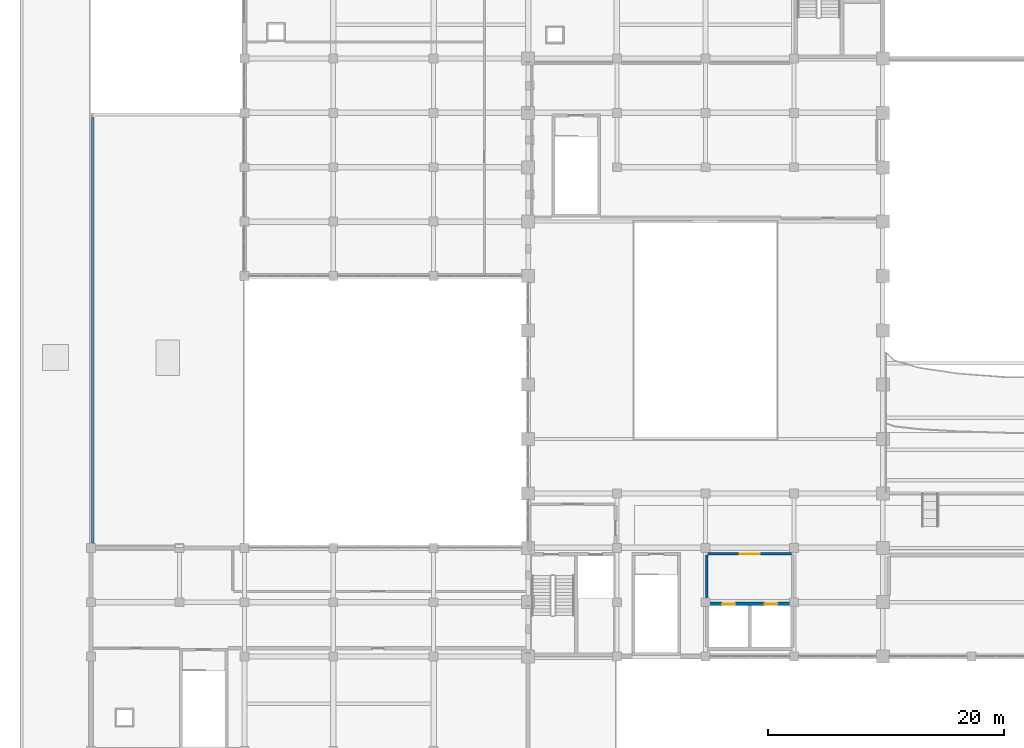
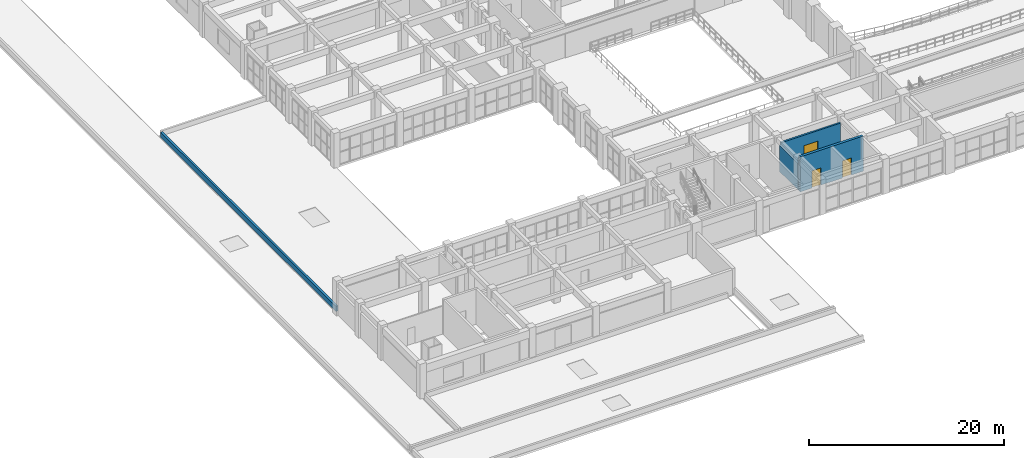
# One storey, part 68 of 90: 4 walls, 3 doors, 3 openings.
"""IFC4 building model written with IfcOpenShell, lengths in metres."""

from ifc_helpers import new_model, si_unit, direction, frame, frame_2d, origin, place, context, subcontext, project, spatial, rectangle, extrude, material, layer, layer_set, type_object, element, fill, save


model = new_model("IFC4")

# Units and contexts
model_context = context("Model", 3, precision=1e-05, world=origin(), true_north=direction((0.0, 1.0)))
body_context = subcontext(model_context, "Body", "Model", "MODEL_VIEW")
ifc_project = project(units=[si_unit("LENGTHUNIT", "METRE"), si_unit("AREAUNIT", "SQUARE_METRE"), si_unit("VOLUMEUNIT", "CUBIC_METRE"), si_unit("PLANEANGLEUNIT", "RADIAN"), si_unit("MASSUNIT", "GRAM", prefix="KILO")], contexts=[model_context])

# Site, building, storey
site_placement = place(None, origin())
site = spatial("IfcSite", under=ifc_project, at=site_placement, CompositionType="ELEMENT")
building_placement = place(site_placement, origin())
building = spatial("IfcBuilding", under=site, at=building_placement, Name="Muzn Square Opera House", CompositionType="ELEMENT")
storey_placement = place(building_placement, frame((0.0, 0.0, 9.800048828125)))
storey = spatial("IfcBuildingStorey", under=building, at=storey_placement, Name="L02", CompositionType="ELEMENT", Elevation=9.800048828125)

# Wall, openings, doors
ifc_material_1 = material(Name="Concrete C45/55", Category="concrete")
ifc_layer_1 = layer(ifc_material_1, 0.300048828125, Name="Concrete C45/55", Category="concrete")
ifc_layer_set_1 = layer_set([ifc_layer_1], Name="Concrete C45/55")
wall_type_1 = type_object("IfcWallType", Name="Core Shear Wall 300mm", PredefinedType="SHEAR", material=ifc_layer_set_1)
wall_1_placement = place(storey_placement, frame((58.0, 26.449951171875, 0.0), z_axis=(0.0, 0.0, 1.0), x_axis=(1.0, 0.0, 0.0)))
wall_1 = element("IfcWall", 1, at=wall_1_placement, inside=storey, type_object=wall_type_1, Name="Lift Bank LBW Front Wall L02", PredefinedType="SHEAR", context=body_context, shape_type="SweptSolid", body=[
    extrude(rectangle(XDim=7.5, YDim=0.300048828125, at=frame_2d((3.75, 0.0))), origin(), (0.0, 0.0, 1.0), 4.39990234375),
])
opening_1_placement = place(wall_1_placement, frame((1.39990234375, 0.0, 0.0)))
opening_1 = element("IfcOpeningElement", 2, at=opening_1_placement, cuts=wall_1, Name="Opening LD-01", PredefinedType="OPENING", context=body_context, shape_type="SweptSolid", body=[
    extrude(rectangle(XDim=1.10009765625, YDim=2.14990234375, at=frame_2d((0.550048828125, 1.074951171875))), frame((0.0, 0.159912109375, 0.0), z_axis=(0.0, -1.0, 0.0), x_axis=(1.0, 0.0, 0.0)), (0.0, 0.0, 1.0), 0.320068359375),
])
opening_2_placement = place(wall_1_placement, frame((5.0, 0.0, 0.0)))
opening_2 = element("IfcOpeningElement", 3, at=opening_2_placement, cuts=wall_1, Name="Opening LD-01", PredefinedType="OPENING", context=body_context, shape_type="SweptSolid", body=[
    extrude(rectangle(XDim=1.10009765625, YDim=2.14990234375, at=frame_2d((0.550048828125, 1.074951171875))), frame((0.0, 0.159912109375, 0.0), z_axis=(0.0, -1.0, 0.0), x_axis=(1.0, 0.0, 0.0)), (0.0, 0.0, 1.0), 0.320068359375),
])
ifc_material_2 = material(Name="Brushed stainless steel", Category="metal")
door_type_1 = type_object("IfcDoorType", Name="Lift Landing Sliding Door 1100x2150", OperationType="SLIDING_TO_LEFT", PredefinedType="DOOR", material=ifc_material_2)
door_1_placement = place(opening_1_placement, origin())
door_1 = element("IfcDoor", 4, at=door_1_placement, inside=storey, type_object=door_type_1, Name="Lift PL-2 Sliding Landing Door L02", OperationType="SLIDING_TO_LEFT", OverallHeight=2.14990234375, OverallWidth=1.10009765625, PredefinedType="DOOR", context=body_context, shape_type="SweptSolid", body=[
    extrude(rectangle(XDim=1.10009765625, YDim=2.14990234375, at=frame_2d((0.550048828125, 1.074951171875))), frame((0.0, 0.02490234375, 0.0), z_axis=(0.0, -1.0, 0.0), x_axis=(1.0, 0.0, 0.0)), (0.0, 0.0, 1.0), 0.050048828125),
])
fill(opening_1, door_1)
door_2_placement = place(opening_2_placement, origin())
door_2 = element("IfcDoor", 5, at=door_2_placement, inside=storey, type_object=door_type_1, Name="Lift PL-6 Sliding Landing Door L02", OperationType="SLIDING_TO_LEFT", OverallHeight=2.14990234375, OverallWidth=1.10009765625, PredefinedType="DOOR", context=body_context, shape_type="SweptSolid", body=[
    extrude(rectangle(XDim=1.10009765625, YDim=2.14990234375, at=frame_2d((0.550048828125, 1.074951171875))), frame((0.0, 0.02490234375, 0.0), z_axis=(0.0, -1.0, 0.0), x_axis=(1.0, 0.0, 0.0)), (0.0, 0.0, 1.0), 0.050048828125),
])
fill(opening_2, door_2)

# Wall, opening, door
ifc_material_3 = material(Name="Concrete C40/50", Category="concrete")
ifc_layer_2 = layer(ifc_material_3, 0.219970703125, Name="Concrete C40/50", Category="concrete")
ifc_layer_set_2 = layer_set([ifc_layer_2], Name="Concrete C40/50")
wall_type_2 = type_object("IfcWallType", Name="Lift Lobby Wall 220mm", PredefinedType="SOLIDWALL", material=ifc_layer_set_2)
wall_2_placement = place(storey_placement, frame((58.219970703125, 30.68994140625, 0.0), z_axis=(0.0, 0.0, 1.0), x_axis=(1.0, 0.0, 0.0)))
wall_2 = element("IfcWall", 6, at=wall_2_placement, inside=storey, type_object=wall_type_2, Name="Lift Lobby LBW Wall L02", PredefinedType="SOLIDWALL", context=body_context, shape_type="SweptSolid", body=[
    extrude(rectangle(XDim=7.06005859375, YDim=0.219970703125, at=frame_2d((3.530029296875, 0.0))), origin(), (0.0, 0.0, 1.0), 3.5),
])
opening_3_placement = place(wall_2_placement, frame((2.679931640625, 0.0, 0.0)))
opening_3 = element("IfcOpeningElement", 7, at=opening_3_placement, cuts=wall_2, Name="Opening DR-LL17", PredefinedType="OPENING", context=body_context, shape_type="SweptSolid", body=[
    extrude(rectangle(XDim=1.699951171875, YDim=2.179931640625, at=frame_2d((0.85009765625, 1.08984375))), frame((0.0, 0.119873046875, 0.0), z_axis=(0.0, -1.0, 0.0), x_axis=(1.0, 0.0, 0.0)), (0.0, 0.0, 1.0), 0.239990234375),
])
ifc_material_4 = material(Name="Acoustic hardwood leaf", Category="wood")
door_type_2 = type_object("IfcDoorType", Name="Lift Lobby Double Door 1700x2180", OperationType="DOUBLE_DOOR_SINGLE_SWING", PredefinedType="DOOR", material=ifc_material_4)
door_3_placement = place(opening_3_placement, origin())
door_3 = element("IfcDoor", 8, at=door_3_placement, inside=storey, type_object=door_type_2, Name="Lift Lobby LBW Door L02", OperationType="DOUBLE_DOOR_SINGLE_SWING", OverallHeight=2.179931640625, OverallWidth=1.699951171875, PredefinedType="DOOR", context=body_context, shape_type="SweptSolid", body=[
    extrude(rectangle(XDim=1.699951171875, YDim=2.179931640625, at=frame_2d((0.85009765625, 1.08984375))), frame((0.0, 0.02490234375, 0.0), z_axis=(0.0, -1.0, 0.0), x_axis=(1.0, 0.0, 0.0)), (0.0, 0.0, 1.0), 0.050048828125),
])
fill(opening_3, door_3)

# Walls
wall_3_placement = place(storey_placement, frame((58.110107421875, 26.75, 0.0), z_axis=(0.0, 0.0, 1.0), x_axis=(0.0, 1.0, 0.0)))
element("IfcWall", 9, at=wall_3_placement, inside=storey, type_object=wall_type_2, Name="Lift Lobby LBW Side Wall W L02", PredefinedType="SOLIDWALL", context=body_context, shape_type="SweptSolid", body=[
    extrude(rectangle(XDim=3.830078125, YDim=0.219970703125, at=frame_2d((1.9150390625, 0.0))), origin(), (0.0, 0.0, 1.0), 3.300048828125),
])
ifc_material_5 = material(Name="Precast concrete C40/50", Category="concrete")
ifc_layer_3 = layer(ifc_material_5, 0.239990234375, Name="Precast concrete C40/50", Category="concrete")
ifc_layer_set_3 = layer_set([ifc_layer_3], Name="Precast concrete C40/50")
wall_type_3 = type_object("IfcWallType", Name="Roof Parapet Wall 240mm", PredefinedType="PARAPET", material=ifc_layer_set_3)
wall_4_placement = place(storey_placement, frame((6.14990234375, 31.60009765625, 0.0), z_axis=(0.0, 0.0, 1.0), x_axis=(0.0, 1.0, 0.0)))
element("IfcWall", 10, at=wall_4_placement, inside=storey, type_object=wall_type_3, Name="Roof Parapet ROOF-L02-WOUTER-W", PredefinedType="PARAPET", context=body_context, shape_type="SweptSolid", body=[
    extrude(rectangle(XDim=36.0, YDim=0.239990234375, at=frame_2d((18.0, 0.0))), origin(), (0.0, 0.0, 1.0), 0.64990234375),
])

save(model, "model.ifc")
